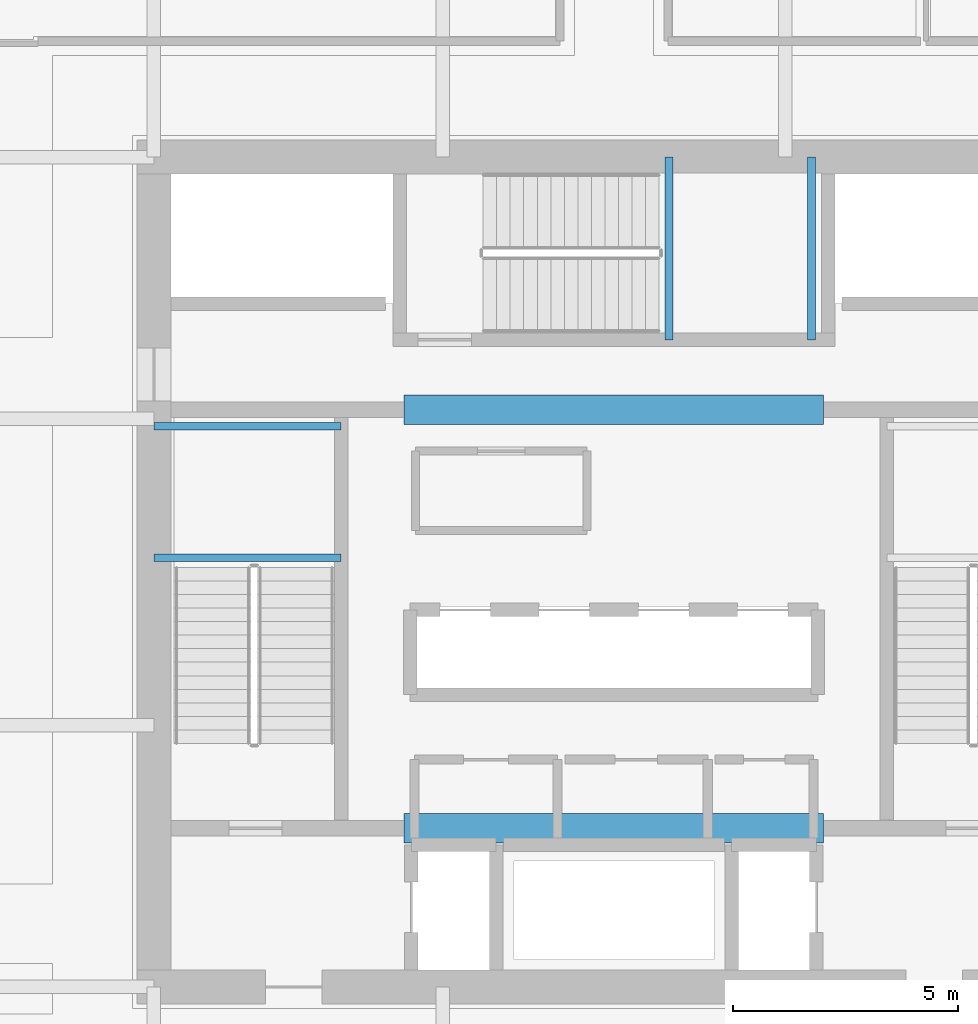
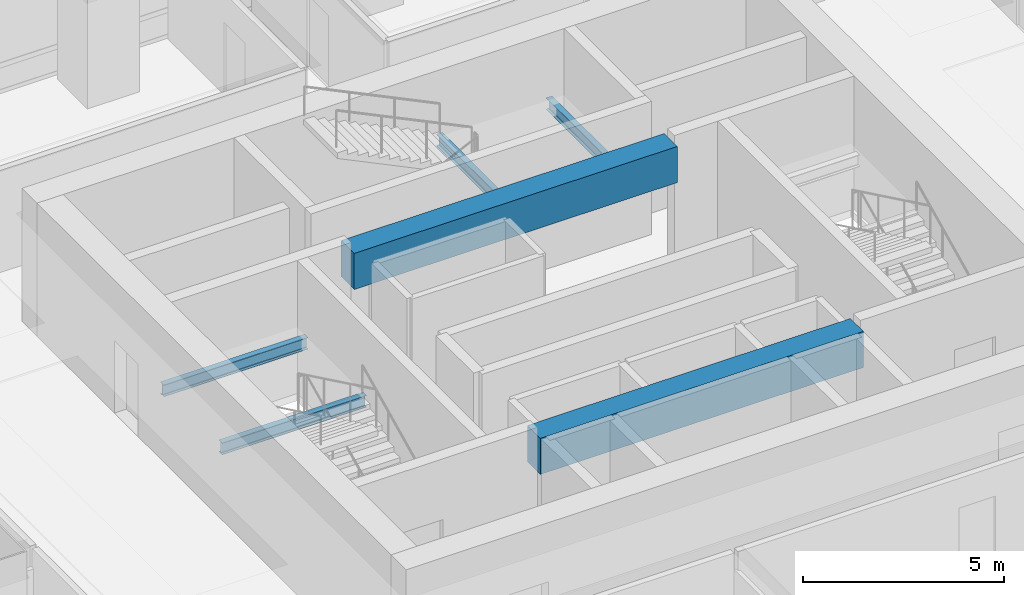
# One storey, part 12 of 36: 6 beams.
"""IFC4 building model written with IfcOpenShell, lengths in metres."""

from ifc_helpers import new_model, si_unit, direction, frame, origin, origin_2d, place, context, subcontext, project, spatial, rectangle, i_section, extrude, material, material_profile, profile_set, type_object, element, save


model = new_model("IFC4")

# Units and contexts
model_context = context("Model", 3, precision=1e-05, world=origin(), true_north=direction((0.0, 1.0)))
body_context = subcontext(model_context, "Body", "Model", "MODEL_VIEW")
ifc_project = project(units=[si_unit("LENGTHUNIT", "METRE"), si_unit("AREAUNIT", "SQUARE_METRE"), si_unit("VOLUMEUNIT", "CUBIC_METRE"), si_unit("PLANEANGLEUNIT", "RADIAN"), si_unit("MASSUNIT", "GRAM", prefix="KILO")], contexts=[model_context])

# Site, building, storey
site_placement = place(None, origin())
site = spatial("IfcSite", under=ifc_project, at=site_placement, CompositionType="ELEMENT")
building_placement = place(site_placement, origin())
building = spatial("IfcBuilding", under=site, at=building_placement, Name="Punatoya Terracotta Tower", CompositionType="ELEMENT")
storey_placement = place(building_placement, frame((0.0, 0.0, 32.25)))
storey = spatial("IfcBuildingStorey", under=building, at=storey_placement, Name="L06", CompositionType="ELEMENT", Elevation=32.25)

# Beams
ifc_material_1 = material(Name="Concrete C60/75", Category="concrete")
ifc_material_profile_1 = material_profile(ifc_material_1, rectangle(XDim=0.64990234375, YDim=1.10009765625, at=origin_2d()))
ifc_profile_set_1 = profile_set([ifc_material_profile_1], Name="Concrete C60/75")
beam_type_1 = type_object("IfcBeamType", Name="BM-RC-1100", PredefinedType="LINTEL", material=ifc_profile_set_1)
for number, where, z_axis, x_axis, name in (
    (1, (-4.64990234375, -5.679931640625, 3.260009765625), (1.0, 0.0, 0.0), (0.0, 1.0, 0.0), "L06 Core Coupling Lintel CSW"),
    (2, (-4.64990234375, 3.60009765625, 3.260009765625), (1.0, 0.0, 0.0), (0.0, 1.0, 0.0), "L06 Core Coupling Lintel CNW"),
):
    element("IfcBeam", number, at=place(storey_placement, frame(where, z_axis=z_axis, x_axis=x_axis)), inside=storey, type_object=beam_type_1, Name=name, PredefinedType="LINTEL", context=body_context, shape_type="SweptSolid", body=[
        extrude(rectangle(XDim=0.64990234375, YDim=1.10009765625, at=origin_2d()), origin(), (0.0, 0.0, 1.0), 9.2998046875),
    ])
ifc_material_2 = material(Name="Steel S355", Category="steel")
ifc_material_profile_2 = material_profile(ifc_material_2, i_section(OverallWidth=0.169921875, OverallDepth=0.360107421875, WebThickness=0.008056640625, FlangeThickness=0.0126953125, FilletRadius=0.01806640625, at=origin_2d()))
ifc_profile_set_2 = profile_set([ifc_material_profile_2], Name="Steel S355")
beam_type_2 = type_object("IfcBeamType", Name="BM-SEC-360", PredefinedType="JOIST", material=ifc_profile_set_2)
for number, where, z_axis, x_axis, name in (
    (3, (-10.199951171875, 0.320068359375, 1.64501953125), (1.0, 0.0, 0.0), (0.0, 1.0, 0.0), "BM-L06-ST-1-LD1A"),
    (4, (-10.199951171875, 3.22998046875, 1.64501953125), (1.0, 0.0, 0.0), (0.0, 1.0, 0.0), "BM-L06-ST-1-LD1B"),
):
    element("IfcBeam", number, at=place(storey_placement, frame(where, z_axis=z_axis, x_axis=x_axis)), inside=storey, type_object=beam_type_2, Name=name, PredefinedType="JOIST", context=body_context, shape_type="SweptSolid", body=[
        extrude(i_section(OverallWidth=0.169921875, OverallDepth=0.360107421875, WebThickness=0.008056640625, FlangeThickness=0.0126953125, FilletRadius=0.01806640625, at=origin_2d()), origin(), (0.0, 0.0, 1.0), 4.14990234375),
    ])
for number, where, z_axis, x_axis, name in (
    (5, (1.219970703125, 5.14990234375, 1.64501953125), (0.0, 1.0, 0.0), (-1.0, 0.0, 0.0), "BM-L06-ST-3-LD1A"),
    (6, (4.3798828125, 5.14990234375, 1.64501953125), (0.0, 1.0, 0.0), (-1.0, 0.0, 0.0), "BM-L06-ST-3-LD1B"),
):
    element("IfcBeam", number, at=place(storey_placement, frame(where, z_axis=z_axis, x_axis=x_axis)), inside=storey, type_object=beam_type_2, Name=name, PredefinedType="JOIST", context=body_context, shape_type="SweptSolid", body=[
        extrude(i_section(OverallWidth=0.169921875, OverallDepth=0.360107421875, WebThickness=0.008056640625, FlangeThickness=0.0126953125, FilletRadius=0.01806640625, at=origin_2d()), origin(), (0.0, 0.0, 1.0), 4.050048828125),
    ])

save(model, "model.ifc")
